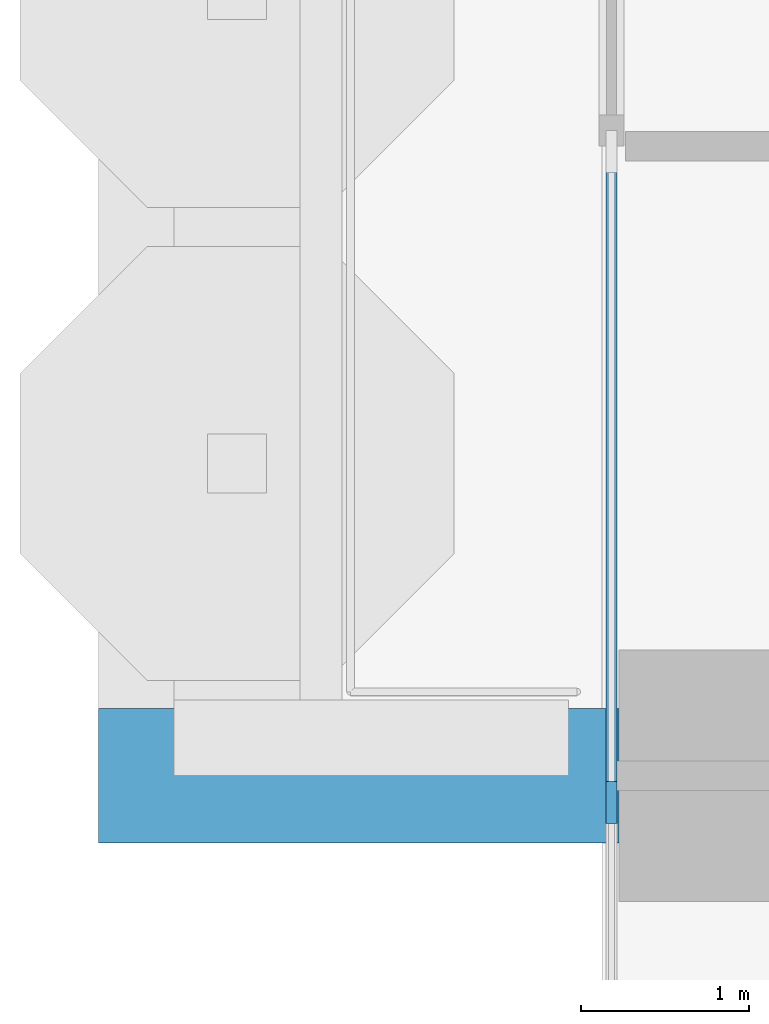
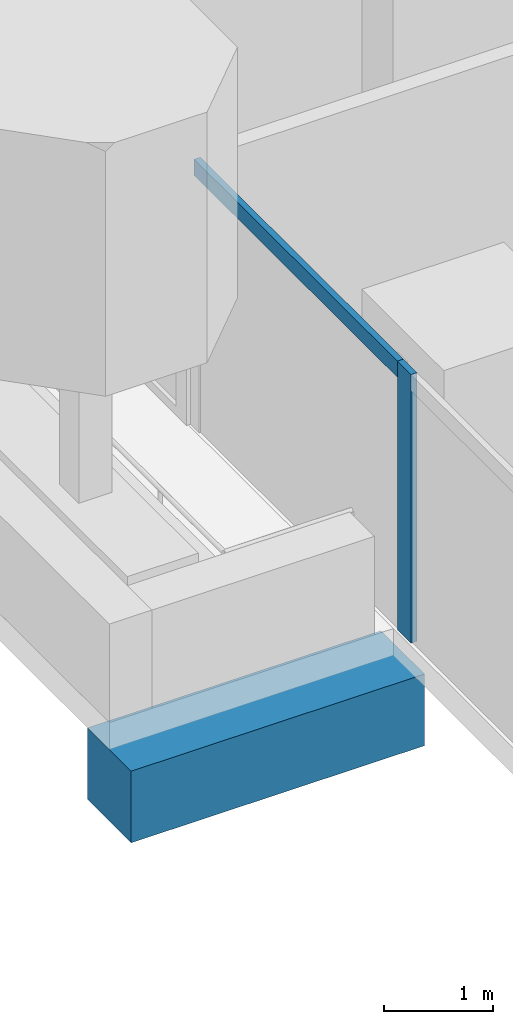
# One storey, part 3 of 19: 2 members, 1 beam, 1 element without a shape of its own.
"""IFC4 building model written with IfcOpenShell, lengths in metres."""

from ifc_helpers import new_model, si_unit, direction, frame, origin, origin_2d, place, context, subcontext, project, spatial, rectangle, extrude, material, material_profile, profile_set, type_object, element, aggregate, save


model = new_model("IFC4")

# Units and contexts
model_context = context("Model", 3, precision=1e-05, world=origin(), true_north=direction((0.0, 1.0)))
body_context = subcontext(model_context, "Body", "Model", "MODEL_VIEW")
ifc_project = project(units=[si_unit("LENGTHUNIT", "METRE"), si_unit("AREAUNIT", "SQUARE_METRE"), si_unit("VOLUMEUNIT", "CUBIC_METRE"), si_unit("PLANEANGLEUNIT", "RADIAN"), si_unit("MASSUNIT", "GRAM", prefix="KILO")], contexts=[model_context])

# Site, building, storey
site_placement = place(None, origin())
site = spatial("IfcSite", under=ifc_project, at=site_placement, CompositionType="ELEMENT")
building_placement = place(site_placement, origin())
building = spatial("IfcBuilding", under=site, at=building_placement, Name="Pilkhan Gate Tower", CompositionType="ELEMENT")
storey_placement = place(building_placement, frame((0.0, 0.0, 62.60009765625)))
storey = spatial("IfcBuildingStorey", under=building, at=storey_placement, Name="L13", CompositionType="ELEMENT", Elevation=62.60009765625)

# Beam
ifc_material_1 = material(Name="Concrete C50/60", Category="concrete")
ifc_material_profile_1 = material_profile(ifc_material_1, rectangle(XDim=0.800048828125, YDim=0.800048828125, at=origin_2d()), Name="RC 800x800")
ifc_profile_set_1 = profile_set([ifc_material_profile_1], Name="Concrete C50/60")
beam_type = type_object("IfcBeamType", Name="Cantilever beam CB2 RC 800x800 C50/60", PredefinedType="BEAM", material=ifc_profile_set_1)
beam_placement = place(storey_placement, frame((48.0, 67.5, -0.7001953125), z_axis=(-1.0, 0.0, 0.0), x_axis=(0.0, -1.0, 0.0)))
element("IfcBeam", 1, at=beam_placement, inside=storey, type_object=beam_type, Name="Balcony beam W.1 L13", PredefinedType="BEAM", context=body_context, shape_type="SweptSolid", body=[
    extrude(rectangle(XDim=0.800048828125, YDim=0.800048828125, at=origin_2d()), origin(), (0.0, 0.0, 1.0), 3.10009765625),
])

# Curtain wall, members
ifc_material_2 = material(Name="Pale anodised aluminium, clear low-iron double glazing", Category="aluminium")
curtain_wall_type = type_object("IfcCurtainWallType", Name="Hotel unitised curtain wall CW-H", PredefinedType="USERDEFINED", material=ifc_material_2)
curtain_wall_placement = place(storey_placement, origin())
curtain_wall = element("IfcCurtainWall", 2, at=curtain_wall_placement, inside=storey, type_object=curtain_wall_type, Name="Hotel unitised curtain wall CW-H L13 W", ObjectType="UNITISED CURTAIN WALL", PredefinedType="USERDEFINED")
ifc_material_3 = material(Name="Pale anodised aluminium", Category="aluminium")
ifc_material_profile_2 = material_profile(ifc_material_3, rectangle(XDim=0.06494140625, YDim=0.25, at=origin_2d()), Name="Mullion 250x65")
ifc_profile_set_2 = profile_set([ifc_material_profile_2], Name="Pale anodised aluminium")
member_type_1 = type_object("IfcMemberType", Name="Mullion CW-H 250x65", PredefinedType="MULLION", material=ifc_profile_set_2)
member_1_placement = place(storey_placement, frame((47.955078125, 67.341064453125, 0.0), z_axis=(0.0, 0.0, 1.0), x_axis=(-1.0, 0.0, 0.0)))
member_1 = element("IfcMember", 3, at=member_1_placement, type_object=member_type_1, Name="CW-H mullion 2", PredefinedType="MULLION", context=body_context, shape_type="SweptSolid", body=[
    extrude(rectangle(XDim=0.06494140625, YDim=0.25, at=origin_2d()), origin(), (0.0, 0.0, 1.0), 3.0),
])
ifc_material_profile_3 = material_profile(ifc_material_3, rectangle(XDim=0.06494140625, YDim=0.179931640625, at=origin_2d()), Name="Transom 180x65")
ifc_profile_set_3 = profile_set([ifc_material_profile_3], Name="Pale anodised aluminium")
member_type_2 = type_object("IfcMemberType", Name="Transom CW-H 180x65", PredefinedType="USERDEFINED", material=ifc_profile_set_3)
member_2_placement = place(storey_placement, frame((47.955078125, 67.37353515625, 2.909912109375), z_axis=(0.0, 1.0, 0.0), x_axis=(-1.0, 0.0, 0.0)))
member_2 = element("IfcMember", 4, at=member_2_placement, type_object=member_type_2, Name="CW-H transom 2", ObjectType="TRANSOM", PredefinedType="USERDEFINED", context=body_context, shape_type="SweptSolid", body=[
    extrude(rectangle(XDim=0.06494140625, YDim=0.179931640625, at=origin_2d()), origin(), (0.0, 0.0, 1.0), 3.8115234375),
])
aggregate(curtain_wall, [member_1, member_2])

save(model, "model.ifc")
